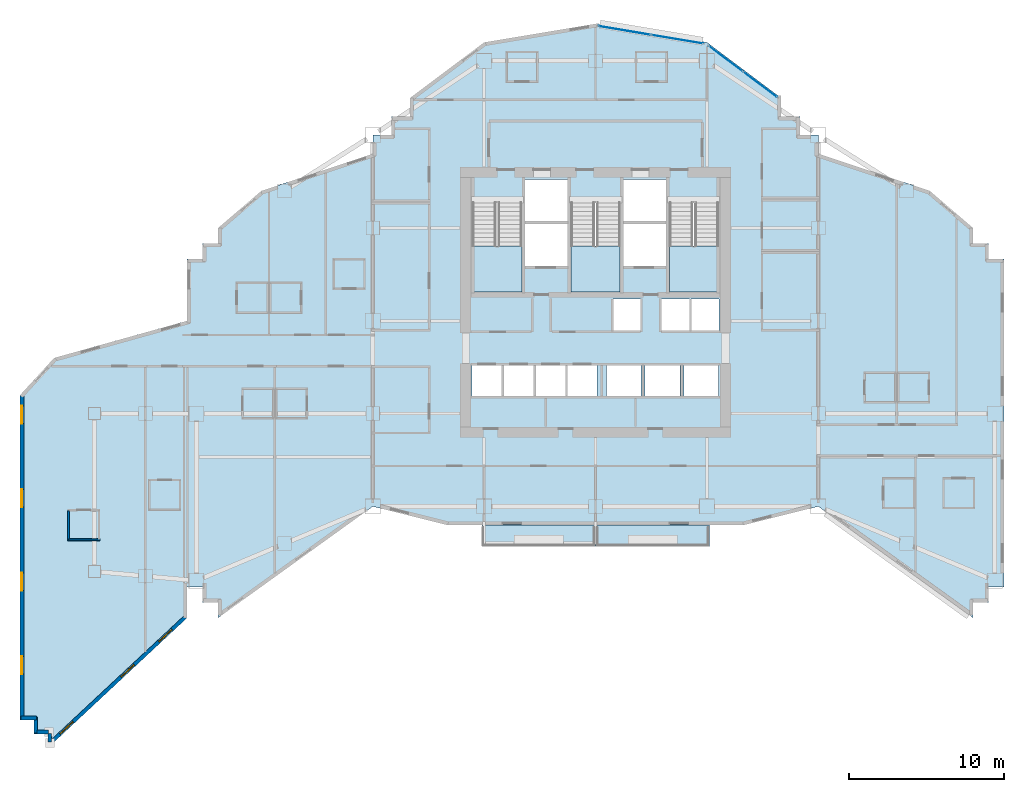
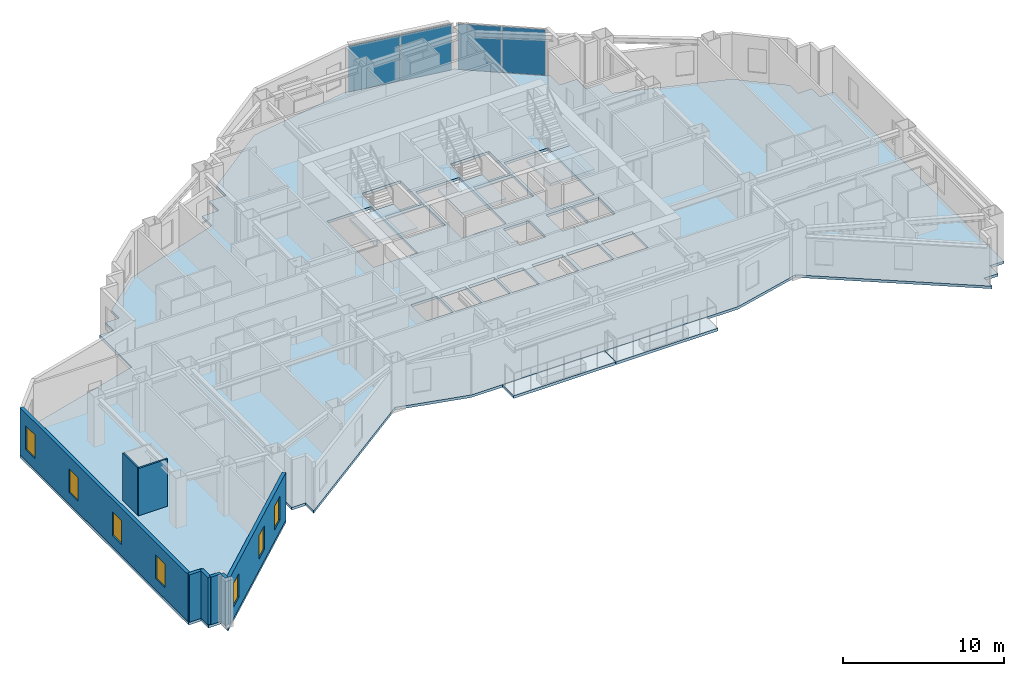
# One storey, part 6 of 14: 8 walls, 7 windows, 6 slabs, 4 plates, 7 openings, 5 elements without a shape of their own.
"""IFC4 building model written with IfcOpenShell, lengths in metres."""

import ifcopenshell
import ifcopenshell.guid

model = None  # the IFC model being written
_history = None  # IfcOwnerHistory: only IFC2X3 demands one
_inside = {}  # id of a spatial element -> (the spatial element, [elements in it])
_under = {}  # id of a project, library or spatial element -> (it, [spatial elements below it])
_declared = {}  # id of a project -> (the project, [libraries it declares])
_typed = {}  # id of a type object -> (the type object, [elements of that type])
_made_of = {}  # id of a material, layer set ... -> (it, [elements and type objects made of it])


def new_model(schema):
    """Start an empty IFC model of exactly this schema.

    Asked for "IFC4X3", IfcOpenShell would pick the latest addendum, in which some entities
    have other attributes; the version numbers below select the first issue.
    IFC2X3 requires an IfcOwnerHistory on every rooted entity: one is made here for all.
    """
    global model, _history
    if schema == "IFC4X3":
        model = ifcopenshell.file(schema_version=(4, 3, 0, 0))
    else:
        model = ifcopenshell.file(schema=schema)
    _inside.clear()
    _under.clear()
    _declared.clear()
    _typed.clear()
    _made_of.clear()
    _history = None
    if model.schema == "IFC2X3":
        org = make("IfcOrganization", Name="unknown")
        user = make(
            "IfcPersonAndOrganization",
            ThePerson=make("IfcPerson", FamilyName="unknown"),
            TheOrganization=org,
        )
        app = make(
            "IfcApplication",
            ApplicationDeveloper=org,
            Version="unknown",
            ApplicationFullName="unknown",
            ApplicationIdentifier="unknown",
        )
        _history = make(
            "IfcOwnerHistory",
            OwningUser=user,
            OwningApplication=app,
            ChangeAction="ADDED",
            CreationDate=0,
        )
    return model


def make(cls, **values):
    """One entity of the class cls with the attributes given. An attribute that is None is left unset."""
    return model.create_entity(
        cls, **{name: value for name, value in values.items() if value is not None}
    )


def rooted(cls, **values):
    """An entity with a GlobalId (a new one), such as an element, a storey or a relation."""
    return make(cls, GlobalId=ifcopenshell.guid.new(), OwnerHistory=_history, **values)


def si_unit(unit_type, name, prefix=None):
    """IfcSIUnit, for example si_unit("LENGTHUNIT", "METRE", prefix="MILLI")."""
    return make("IfcSIUnit", UnitType=unit_type, Prefix=prefix, Name=name)


def assignment(units):
    """IfcUnitAssignment: the units of a project."""
    return None if units is None else make("IfcUnitAssignment", Units=units)


def point(xyz):
    """IfcCartesianPoint."""
    return None if xyz is None else make("IfcCartesianPoint", Coordinates=xyz)


def direction(xyz):
    """IfcDirection."""
    return None if xyz is None else make("IfcDirection", DirectionRatios=xyz)


def frame(location, z_axis=None, x_axis=None):
    """IfcAxis2Placement3D, a coordinate frame: its origin and axes. An axis left out is left unset."""
    return make(
        "IfcAxis2Placement3D",
        Location=point(location),
        Axis=direction(z_axis),
        RefDirection=direction(x_axis),
    )


def frame_2d(location, x_axis=None):
    """IfcAxis2Placement2D, a coordinate frame in the plane: its origin and x axis."""
    return make(
        "IfcAxis2Placement2D", Location=point(location), RefDirection=direction(x_axis)
    )


def origin():
    """The frame at (0, 0, 0) with its axes left unset."""
    return frame((0.0, 0.0, 0.0))


def origin_2d():
    """The frame at (0, 0) in the plane with its x axis left unset."""
    return frame_2d((0.0, 0.0))


def place(relative_to, where):
    """IfcLocalPlacement: puts the frame where relative to a parent placement (None: the world)."""
    return make(
        "IfcLocalPlacement", PlacementRelTo=relative_to, RelativePlacement=where
    )


def context(
    kind, dimensions, precision=None, world=None, true_north=None, identifier=None
):
    """IfcGeometricRepresentationContext, for example the 3D "Model" context."""
    return make(
        "IfcGeometricRepresentationContext",
        ContextIdentifier=identifier,
        ContextType=kind,
        CoordinateSpaceDimension=dimensions,
        Precision=precision,
        WorldCoordinateSystem=world,
        TrueNorth=true_north,
    )


def subcontext(parent, identifier, kind, view, scale=None):
    """IfcGeometricRepresentationSubContext, for example "Body" below "Model"."""
    return make(
        "IfcGeometricRepresentationSubContext",
        ContextIdentifier=identifier,
        ContextType=kind,
        ParentContext=parent,
        TargetScale=scale,
        TargetView=view,
    )


def project(units=None, contexts=None):
    """IfcProject with its units and contexts."""
    return rooted(
        "IfcProject",
        Name="project",
        RepresentationContexts=contexts,
        UnitsInContext=assignment(units),
    )


def spatial(cls, under=None, at=None, **own):
    """A site, building, storey or space (cls), placed at a placement, below another one or the project."""
    s = rooted(cls, ObjectPlacement=at, **own)
    if under is not None:
        _under.setdefault(under.id(), (under, []))[1].append(s)
    return s


def polyline(points):
    """IfcPolyline through the points."""
    return make("IfcPolyline", Points=[point(p) for p in points])


def profile(cls, at=None, kind="AREA", **sizes):
    """A parametric profile (cls). Its sizes go by their IFC names, for example OverallWidth=200.0."""
    return make(cls, ProfileType=kind, Position=at, **sizes)


def rectangle(**sizes):
    """IfcRectangleProfileDef."""
    return profile("IfcRectangleProfileDef", **sizes)


def outline(outer, holes=None, kind="AREA"):
    """IfcArbitraryClosedProfileDef: a profile drawn as a closed curve; with holes, ...WithVoids."""
    if holes is None:
        return make("IfcArbitraryClosedProfileDef", ProfileType=kind, OuterCurve=outer)
    return make(
        "IfcArbitraryProfileDefWithVoids",
        ProfileType=kind,
        OuterCurve=outer,
        InnerCurves=holes,
    )


def extrude(swept, where, along, depth):
    """IfcExtrudedAreaSolid: the profile swept, set in the frame where, extruded along a direction by depth."""
    return make(
        "IfcExtrudedAreaSolid",
        SweptArea=swept,
        Position=where,
        ExtrudedDirection=direction(along),
        Depth=depth,
    )


def shape(context_of_items, identifier, shape_type, items):
    """IfcShapeRepresentation: the items that make up one representation, for example the "Body"."""
    return make(
        "IfcShapeRepresentation",
        ContextOfItems=context_of_items,
        RepresentationIdentifier=identifier,
        RepresentationType=shape_type,
        Items=items,
    )


def material(Name=None, Category=None):
    """IfcMaterial."""
    return make("IfcMaterial", Name=Name, Category=Category)


def layer(
    of_material, thickness, ventilated=None, Name=None, Category=None, Priority=None
):
    """IfcMaterialLayer: one layer of a wall or slab, of a material (None: an air gap)."""
    return make(
        "IfcMaterialLayer",
        Material=of_material,
        LayerThickness=thickness,
        IsVentilated=ventilated,
        Name=Name,
        Category=Category,
        Priority=Priority,
    )


def layer_set(layers, Name=None):
    """IfcMaterialLayerSet."""
    return make("IfcMaterialLayerSet", MaterialLayers=layers, LayerSetName=Name)


def made_of(thing, what):
    """Note that an element or type object is made of a material, layer set ...; save() writes the relation."""
    if what is not None:
        _made_of.setdefault(what.id(), (what, []))[1].append(thing)
    return thing


def type_object(cls, material=None, **own):
    """A type object (cls), such as IfcWallType, which elements share."""
    return made_of(rooted(cls, **own), material)


def element(
    cls,
    number,
    at=None,
    inside=None,
    cuts=None,
    type_object=None,
    material=None,
    context=None,
    identifier="Body",
    shape_type=None,
    held_by="IfcProductDefinitionShape",
    body=None,
    shapes=None,
    **own,
):
    """One element of the class cls, such as IfcWall. Its Tag is "e" and its number.

    at: its placement. inside: the storey or other place that contains it. cuts: it is an
    opening in that element (IfcRelVoidsElement). A single representation is given by context,
    identifier, shape_type and body (its items); several are given by shapes. held_by: the class
    of the entity that holds the representations. save() writes the other relations.
    """
    e = rooted(cls, Tag="e%d" % number, ObjectPlacement=at, **own)
    if body is not None:
        shapes = [shape(context, identifier, shape_type, body)]
    if shapes is not None:
        e.Representation = make(held_by, Representations=shapes)
    if inside is not None:
        _inside.setdefault(inside.id(), (inside, []))[1].append(e)
    if cuts is not None:
        rooted(
            "IfcRelVoidsElement", RelatingBuildingElement=cuts, RelatedOpeningElement=e
        )
    if type_object is not None:
        _typed.setdefault(type_object.id(), (type_object, []))[1].append(e)
    return made_of(e, material)


def fill(opening, filler):
    """IfcRelFillsElement: the door or window that sits in an opening."""
    return rooted(
        "IfcRelFillsElement",
        RelatingOpeningElement=opening,
        RelatedBuildingElement=filler,
    )


def aggregate(whole, parts):
    """IfcRelAggregates: a whole, such as a stair, and the parts it consists of."""
    return rooted("IfcRelAggregates", RelatingObject=whole, RelatedObjects=parts)


def save(model, path):
    """Write the relations noted so far, then the file.

    IfcRelAggregates (storeys below a building ...), IfcRelContainedInSpatialStructure (elements
    in a storey), IfcRelDefinesByType, IfcRelAssociatesMaterial and IfcRelDeclares: one each for
    every whole, place, type object, material and project.
    """
    for whole, parts in _under.values():
        aggregate(whole, parts)
    for where, things in _inside.values():
        rooted(
            "IfcRelContainedInSpatialStructure",
            RelatedElements=things,
            RelatingStructure=where,
        )
    for kind, things in _typed.values():
        rooted("IfcRelDefinesByType", RelatedObjects=things, RelatingType=kind)
    for what, things in _made_of.values():
        rooted("IfcRelAssociatesMaterial", RelatedObjects=things, RelatingMaterial=what)
    for by, libraries in _declared.values():
        rooted("IfcRelDeclares", RelatingContext=by, RelatedDefinitions=libraries)
    model.write(path)


model = new_model("IFC4")

# Units and contexts
model_context = context("Model", 3, precision=1e-05, world=origin(), true_north=direction((0.0, 1.0)))
body_context = subcontext(model_context, "Body", "Model", "MODEL_VIEW")
ifc_project = project(units=[si_unit("LENGTHUNIT", "METRE"), si_unit("AREAUNIT", "SQUARE_METRE"), si_unit("VOLUMEUNIT", "CUBIC_METRE"), si_unit("PLANEANGLEUNIT", "RADIAN"), si_unit("MASSUNIT", "GRAM", prefix="KILO")], contexts=[model_context])

# Site, building, storey
site_placement = place(None, origin())
site = spatial("IfcSite", under=ifc_project, at=site_placement, CompositionType="ELEMENT")
building_placement = place(site_placement, origin())
building = spatial("IfcBuilding", under=site, at=building_placement, Name="Haolan Belvedere Tower", CompositionType="ELEMENT")
storey_placement = place(building_placement, frame((0.0, 0.0, 144.800048828125)))
storey = spatial("IfcBuildingStorey", under=building, at=storey_placement, Name="L36", CompositionType="ELEMENT", Elevation=144.800048828125)

# Curtain wall, plates
ifc_material_1 = material(Name="Anodised champagne-silver aluminium 6063-T6 and Low-E glass", Category="aluminium")
ifc_layer_1 = layer(ifc_material_1, 0.155029296875, Name="Anodised champagne-silver aluminium 6063-T6 and Low-E glass")
ifc_layer_set_1 = layer_set([ifc_layer_1], Name="Anodised champagne-silver aluminium 6063-T6 and Low-E glass")
curtain_wall_type = type_object("IfcCurtainWallType", Name="CW-SYS-03", PredefinedType="NOTDEFINED", material=ifc_layer_set_1)
curtain_wall_1_placement = place(storey_placement, origin())
curtain_wall_1 = element("IfcCurtainWall", 1, at=curtain_wall_1_placement, inside=storey, type_object=curtain_wall_type, Name="L36 CW-SYS-03 ribbon curtain wall 26.1", PredefinedType="NOTDEFINED")
ifc_material_2 = material(Name="Double silver Low-E laminated insulating glass", Category="glass")
ifc_layer_2 = layer(ifc_material_2, 0.02392578125, Name="Double silver Low-E laminated insulating glass")
ifc_layer_set_2 = layer_set([ifc_layer_2], Name="Double silver Low-E laminated insulating glass")
plate_type = type_object("IfcPlateType", Name="CW-SYS-03-PNL", PredefinedType="CURTAIN_PANEL", material=ifc_layer_set_2)
plate_1_placement = place(storey_placement, frame((49.0302734375, 48.877197265625, 0.05419921875), z_axis=(0.0, 0.0, 1.0), x_axis=(-0.800004262313, 0.599994316874, 0.0)))
plate_1 = element("IfcPlate", 2, at=plate_1_placement, type_object=plate_type, Name="CW-03 panel 1.1", PredefinedType="CURTAIN_PANEL", context=body_context, shape_type="SweptSolid", body=[
    extrude(rectangle(XDim=2.728271484375, YDim=0.02392578125, at=origin_2d()), origin(), (0.0, 0.0, 1.0), 3.491943359375),
])
plate_2_placement = place(storey_placement, frame((46.80126953125, 50.549072265625, 0.05419921875), z_axis=(0.0, 0.0, 1.0), x_axis=(-0.800004262313, 0.599994316874, 0.0)))
plate_2 = element("IfcPlate", 3, at=plate_2_placement, type_object=plate_type, Name="CW-03 panel 2.1", PredefinedType="CURTAIN_PANEL", context=body_context, shape_type="SweptSolid", body=[
    extrude(rectangle(XDim=2.728271484375, YDim=0.02392578125, at=origin_2d()), origin(), (0.0, 0.0, 1.0), 3.491943359375),
])
aggregate(curtain_wall_1, [plate_1, plate_2])

curtain_wall_2_placement = place(storey_placement, origin())
curtain_wall_2 = element("IfcCurtainWall", 4, at=curtain_wall_2_placement, inside=storey, type_object=curtain_wall_type, Name="L36 CW-SYS-03 ribbon curtain wall 27.1", PredefinedType="NOTDEFINED")
plate_3_placement = place(storey_placement, frame((43.68017578125, 51.79833984375, 0.05419921875), z_axis=(0.0, 0.0, 1.0), x_axis=(-0.9863931483, 0.16440364043, 0.0)))
plate_3 = element("IfcPlate", 5, at=plate_3_placement, type_object=plate_type, Name="CW-03 panel 1.1", PredefinedType="CURTAIN_PANEL", context=body_context, shape_type="SweptSolid", body=[
    extrude(rectangle(XDim=3.39794921875, YDim=0.02392578125, at=origin_2d()), origin(), (0.0, 0.0, 1.0), 3.491943359375),
])
plate_4_placement = place(storey_placement, frame((40.271240234375, 52.366455078125, 0.05419921875), z_axis=(0.0, 0.0, 1.0), x_axis=(-0.9863931483, 0.16440364043, 0.0)))
plate_4 = element("IfcPlate", 6, at=plate_4_placement, type_object=plate_type, Name="CW-03 panel 2.1", PredefinedType="CURTAIN_PANEL", context=body_context, shape_type="SweptSolid", body=[
    extrude(rectangle(XDim=3.39794921875, YDim=0.02392578125, at=origin_2d()), origin(), (0.0, 0.0, 1.0), 3.491943359375),
])
aggregate(curtain_wall_2, [plate_3, plate_4])

# Slabs
ifc_material_3 = material(Name="Concrete C40/50", Category="concrete")
ifc_layer_3 = layer(ifc_material_3, 0.2099609375, Name="Concrete C40/50")
ifc_layer_set_3 = layer_set([ifc_layer_3], Name="Concrete C40/50")
slab_type_1 = type_object("IfcSlabType", Name="SL-BAL-210", PredefinedType="FLOOR", material=ifc_layer_set_3)
slab_1_placement = place(storey_placement, frame((0.0, 0.0, -0.22998046875)))
element("IfcSlab", 7, at=slab_1_placement, inside=storey, type_object=slab_type_1, Name="L36 structural tree-planter balcony slab BAL-L36-S1", PredefinedType="FLOOR", context=body_context, shape_type="SweptSolid", body=[
    extrude(outline(polyline([(31.050048828125, 19.02001953125), (38.3798828125, 19.02001953125), (38.3798828125, 20.39990234375), (31.050048828125, 20.39990234375), (31.050048828125, 19.02001953125)])), origin(), (0.0, 0.0, 1.0), 0.2099609375),
])
slab_2_placement = place(storey_placement, frame((0.0, 0.0, -0.22998046875)))
element("IfcSlab", 8, at=slab_2_placement, inside=storey, type_object=slab_type_1, Name="L36 structural tree-planter balcony slab BAL-L36-S2", PredefinedType="FLOOR", context=body_context, shape_type="SweptSolid", body=[
    extrude(outline(polyline([(38.419921875, 19.02001953125), (45.75, 19.02001953125), (45.75, 20.39990234375), (38.419921875, 20.39990234375), (38.419921875, 19.02001953125)])), origin(), (0.0, 0.0, 1.0), 0.2099609375),
])
ifc_layer_4 = layer(ifc_material_3, 0.199951171875, Name="Concrete C40/50")
ifc_layer_set_4 = layer_set([ifc_layer_4], Name="Concrete C40/50")
slab_type_2 = type_object("IfcSlabType", Name="SL-FLR-200", PredefinedType="FLOOR", material=ifc_layer_set_4)
slab_3_placement = place(storey_placement, frame((0.0, 0.0, -0.199951171875)))
element("IfcSlab", 9, at=slab_3_placement, inside=storey, type_object=slab_type_2, Name="L36 structural floor slab", PredefinedType="FLOOR", context=body_context, shape_type="SweptSolid", body=[
    extrude(outline(polyline([(12.0, 14.39990234375), (12.0, 16.39990234375), (13.0, 16.39990234375), (13.0, 15.39990234375), (14.0, 15.39990234375), (14.0, 14.39990234375), (24.0, 21.60009765625), (28.800048828125, 20.39990234375), (48.0, 20.39990234375), (52.800048828125, 21.60009765625), (62.800048828125, 14.39990234375), (62.800048828125, 15.39990234375), (63.800048828125, 15.39990234375), (63.800048828125, 16.39990234375), (64.800048828125, 16.39990234375), (64.800048828125, 37.60009765625), (63.800048828125, 37.60009765625), (63.800048828125, 38.60009765625), (62.800048828125, 38.60009765625), (62.800048828125, 39.60009765625), (60.0, 42.0), (52.800048828125, 44.39990234375), (52.800048828125, 45.60009765625), (51.60009765625, 45.60009765625), (51.60009765625, 46.800048828125), (50.39990234375, 46.800048828125), (50.39990234375, 48.0), (45.60009765625, 51.60009765625), (38.39990234375, 52.800048828125), (31.199951171875, 51.60009765625), (26.39990234375, 48.0), (26.39990234375, 46.800048828125), (25.199951171875, 46.800048828125), (25.199951171875, 45.60009765625), (24.0, 45.60009765625), (24.0, 44.39990234375), (16.800048828125, 42.0), (14.0, 39.60009765625), (14.0, 38.60009765625), (13.0, 38.60009765625), (13.0, 37.60009765625), (12.0, 37.60009765625), (12.0, 33.60009765625), (3.39990234375, 31.199951171875), (1.199951171875, 28.800048828125), (1.199951171875, 8.39990234375), (1.199951171875, 7.800048828125), (2.10009765625, 7.800048828125), (2.10009765625, 6.89990234375), (3.0, 6.89990234375), (3.0, 6.0), (12.0, 14.39990234375)]), holes=[polyline([(30.449951171875, 41.22998046875), (30.449951171875, 35.449951171875), (33.6298828125, 35.449951171875), (33.6298828125, 41.22998046875), (30.449951171875, 41.22998046875)]), polyline([(36.81005859375, 41.22998046875), (36.81005859375, 35.449951171875), (39.989990234375, 35.449951171875), (39.989990234375, 41.22998046875), (36.81005859375, 41.22998046875)]), polyline([(43.169921875, 41.22998046875), (43.169921875, 35.449951171875), (46.35009765625, 35.449951171875), (46.35009765625, 41.22998046875), (43.169921875, 41.22998046875)]), polyline([(33.830078125, 40.050048828125), (36.610107421875, 40.050048828125), (36.610107421875, 42.75), (33.830078125, 42.75), (33.830078125, 40.050048828125)]), polyline([(33.830078125, 37.14990234375), (36.610107421875, 37.14990234375), (36.610107421875, 39.85009765625), (33.830078125, 39.85009765625), (33.830078125, 37.14990234375)]), polyline([(40.18994140625, 40.050048828125), (42.969970703125, 40.050048828125), (42.969970703125, 42.75), (40.18994140625, 42.75), (40.18994140625, 40.050048828125)]), polyline([(40.18994140625, 37.14990234375), (42.969970703125, 37.14990234375), (42.969970703125, 39.85009765625), (40.18994140625, 39.85009765625), (40.18994140625, 37.14990234375)]), polyline([(39.5400390625, 32.949951171875), (41.389892578125, 32.949951171875), (41.389892578125, 35.0), (39.5400390625, 35.0), (39.5400390625, 32.949951171875)]), polyline([(42.6201171875, 32.949951171875), (44.469970703125, 32.949951171875), (44.469970703125, 35.0), (42.6201171875, 35.0), (42.6201171875, 32.949951171875)]), polyline([(44.580078125, 32.949951171875), (46.3798828125, 32.949951171875), (46.3798828125, 35.0), (44.580078125, 35.0), (44.580078125, 32.949951171875)]), polyline([(30.419921875, 28.75), (32.320068359375, 28.75), (32.320068359375, 30.75), (30.419921875, 30.75), (30.419921875, 28.75)]), polyline([(32.47998046875, 28.75), (34.3798828125, 28.75), (34.3798828125, 30.75), (32.47998046875, 30.75), (32.47998046875, 28.75)]), polyline([(34.5400390625, 28.75), (36.43994140625, 28.75), (36.43994140625, 30.75), (34.5400390625, 30.75), (34.5400390625, 28.75)]), polyline([(36.60009765625, 28.75), (38.5, 28.75), (38.5, 30.75), (36.60009765625, 30.75), (36.60009765625, 28.75)]), polyline([(39.10009765625, 28.75), (41.340087890625, 28.75), (41.340087890625, 30.75), (39.10009765625, 30.75), (39.10009765625, 28.75)]), polyline([(41.610107421875, 28.75), (43.85009765625, 28.75), (43.85009765625, 30.75), (41.610107421875, 30.75), (41.610107421875, 28.75)]), polyline([(44.1201171875, 28.75), (46.360107421875, 28.75), (46.360107421875, 30.75), (44.1201171875, 30.75), (44.1201171875, 28.75)])]), origin(), (0.0, 0.0, 1.0), 0.199951171875),
])

# Stair, slab
stair_type = type_object("IfcStairType", Name="STR-DL-22R-173", PredefinedType="HALF_TURN_STAIR", material=ifc_material_3)
stair_1_placement = place(storey_placement, origin())
stair_1 = element("IfcStair", 10, at=stair_1_placement, inside=storey, type_object=stair_type, Name="L36 Smokeproof Core Exit Stair ST1", PredefinedType="HALF_TURN_STAIR")
ifc_layer_5 = layer(ifc_material_3, 0.199951171875, Name="Concrete C40/50")
ifc_layer_set_5 = layer_set([ifc_layer_5], Name="Concrete C40/50")
slab_type_3 = type_object("IfcSlabType", Name="SL-LAND-200", PredefinedType="LANDING", material=ifc_layer_set_5)
slab_4_placement = place(storey_placement, frame((0.0, 0.0, 1.699951171875)))
slab_4 = element("IfcSlab", 11, at=slab_4_placement, type_object=slab_type_3, Name="ST1 landing 1", PredefinedType="LANDING", context=body_context, shape_type="SweptSolid", body=[
    extrude(outline(polyline([(30.449951171875, 38.429931640625), (30.449951171875, 35.449951171875), (33.6298828125, 35.449951171875), (33.6298828125, 38.429931640625), (30.449951171875, 38.429931640625)])), origin(), (0.0, 0.0, 1.0), 0.199951171875),
])
aggregate(stair_1, [slab_4])

stair_2_placement = place(storey_placement, origin())
stair_2 = element("IfcStair", 12, at=stair_2_placement, inside=storey, type_object=stair_type, Name="L36 Smokeproof Core Exit Stair ST3", PredefinedType="HALF_TURN_STAIR")
slab_5_placement = place(storey_placement, frame((0.0, 0.0, 1.699951171875)))
slab_5 = element("IfcSlab", 13, at=slab_5_placement, type_object=slab_type_3, Name="ST3 landing 1", PredefinedType="LANDING", context=body_context, shape_type="SweptSolid", body=[
    extrude(outline(polyline([(36.81005859375, 38.429931640625), (36.81005859375, 35.449951171875), (39.989990234375, 35.449951171875), (39.989990234375, 38.429931640625), (36.81005859375, 38.429931640625)])), origin(), (0.0, 0.0, 1.0), 0.199951171875),
])
aggregate(stair_2, [slab_5])

stair_3_placement = place(storey_placement, origin())
stair_3 = element("IfcStair", 14, at=stair_3_placement, inside=storey, type_object=stair_type, Name="L36 Smokeproof Core Exit Stair ST2", PredefinedType="HALF_TURN_STAIR")
slab_6_placement = place(storey_placement, frame((0.0, 0.0, 1.699951171875)))
slab_6 = element("IfcSlab", 15, at=slab_6_placement, type_object=slab_type_3, Name="ST2 landing 1", PredefinedType="LANDING", context=body_context, shape_type="SweptSolid", body=[
    extrude(outline(polyline([(43.169921875, 38.429931640625), (43.169921875, 35.449951171875), (46.35009765625, 35.449951171875), (46.35009765625, 38.429931640625), (43.169921875, 38.429931640625)])), origin(), (0.0, 0.0, 1.0), 0.199951171875),
])
aggregate(stair_3, [slab_6])

# Wall, openings, windows
ifc_material_4 = material(Name="Precast concrete C40/50", Category="concrete")
ifc_layer_6 = layer(ifc_material_4, 0.239990234375, Name="Precast concrete C40/50")
ifc_layer_set_6 = layer_set([ifc_layer_6], Name="Precast concrete C40/50")
wall_type_1 = type_object("IfcWallType", Name="WL-EXT-240", PredefinedType="SOLIDWALL", material=ifc_layer_set_6)
wall_1_placement = place(storey_placement, frame((1.320068359375, 28.808349609375, 0.0), z_axis=(0.0, 0.0, 1.0), x_axis=(0.0, -1.0, 0.0)))
wall_1 = element("IfcWall", 16, at=wall_1_placement, inside=storey, type_object=wall_type_1, Name="L36 pale-metal exterior spandrel wall 44.1", PredefinedType="SOLIDWALL", context=body_context, shape_type="SweptSolid", body=[
    extrude(rectangle(XDim=20.943359375, YDim=0.239990234375, at=frame_2d((10.4716796875, 0.0))), origin(), (0.0, 0.0, 1.0), 3.599853515625),
])
opening_1_placement = place(wall_1_placement, frame((0.699951171875, 0.0, 0.85009765625)))
opening_1 = element("IfcOpeningElement", 17, at=opening_1_placement, cuts=wall_1, Name="Opening W-02", PredefinedType="OPENING", context=body_context, shape_type="SweptSolid", body=[
    extrude(rectangle(XDim=1.14990234375, YDim=1.800048828125, at=frame_2d((0.574951171875, 0.89990234375))), frame((0.0, 0.1298828125, 0.0), z_axis=(0.0, -1.0, 0.0), x_axis=(1.0, 0.0, 0.0)), (0.0, 0.0, 1.0), 0.260009765625),
])
opening_2_placement = place(wall_1_placement, frame((6.10009765625, 0.0, 0.85009765625)))
opening_2 = element("IfcOpeningElement", 18, at=opening_2_placement, cuts=wall_1, Name="Opening W-02", PredefinedType="OPENING", context=body_context, shape_type="SweptSolid", body=[
    extrude(rectangle(XDim=1.14990234375, YDim=1.800048828125, at=frame_2d((0.574951171875, 0.89990234375))), frame((0.0, 0.1298828125, 0.0), z_axis=(0.0, -1.0, 0.0), x_axis=(1.0, 0.0, 0.0)), (0.0, 0.0, 1.0), 0.260009765625),
])
opening_3_placement = place(wall_1_placement, frame((11.5, 0.0, 0.85009765625)))
opening_3 = element("IfcOpeningElement", 19, at=opening_3_placement, cuts=wall_1, Name="Opening W-02", PredefinedType="OPENING", context=body_context, shape_type="SweptSolid", body=[
    extrude(rectangle(XDim=1.14990234375, YDim=1.800048828125, at=frame_2d((0.574951171875, 0.89990234375))), frame((0.0, 0.1298828125, 0.0), z_axis=(0.0, -1.0, 0.0), x_axis=(1.0, 0.0, 0.0)), (0.0, 0.0, 1.0), 0.260009765625),
])
opening_4_placement = place(wall_1_placement, frame((16.89990234375, 0.0, 0.85009765625)))
opening_4 = element("IfcOpeningElement", 20, at=opening_4_placement, cuts=wall_1, Name="Opening W-02", PredefinedType="OPENING", context=body_context, shape_type="SweptSolid", body=[
    extrude(rectangle(XDim=1.14990234375, YDim=1.800048828125, at=frame_2d((0.574951171875, 0.89990234375))), frame((0.0, 0.1298828125, 0.0), z_axis=(0.0, -1.0, 0.0), x_axis=(1.0, 0.0, 0.0)), (0.0, 0.0, 1.0), 0.260009765625),
])
ifc_material_5 = material(Name="Anodised aluminium 6063-T6 and Low-E glass", Category="aluminium")
window_type = type_object("IfcWindowType", Name="WN-DECO-Z2", PartitioningType="SINGLE_PANEL", PredefinedType="WINDOW", material=ifc_material_5)
window_1_placement = place(opening_1_placement, origin())
window_1 = element("IfcWindow", 21, at=window_1_placement, inside=storey, type_object=window_type, Name="L36 Art Deco chevron window 1", OverallHeight=1.800048828125, OverallWidth=1.14990234375, PartitioningType="SINGLE_PANEL", PredefinedType="WINDOW", context=body_context, shape_type="SweptSolid", body=[
    extrude(rectangle(XDim=1.14990234375, YDim=1.800048828125, at=frame_2d((0.574951171875, 0.89990234375))), frame((0.0, 0.030029296875, 0.0), z_axis=(0.0, -1.0, 0.0), x_axis=(1.0, 0.0, 0.0)), (0.0, 0.0, 1.0), 0.06005859375),
])
fill(opening_1, window_1)
window_2_placement = place(opening_2_placement, origin())
window_2 = element("IfcWindow", 22, at=window_2_placement, inside=storey, type_object=window_type, Name="L36 Art Deco chevron window 2", OverallHeight=1.800048828125, OverallWidth=1.14990234375, PartitioningType="SINGLE_PANEL", PredefinedType="WINDOW", context=body_context, shape_type="SweptSolid", body=[
    extrude(rectangle(XDim=1.14990234375, YDim=1.800048828125, at=frame_2d((0.574951171875, 0.89990234375))), frame((0.0, 0.030029296875, 0.0), z_axis=(0.0, -1.0, 0.0), x_axis=(1.0, 0.0, 0.0)), (0.0, 0.0, 1.0), 0.06005859375),
])
fill(opening_2, window_2)
window_3_placement = place(opening_3_placement, origin())
window_3 = element("IfcWindow", 23, at=window_3_placement, inside=storey, type_object=window_type, Name="L36 Art Deco chevron window 3", OverallHeight=1.800048828125, OverallWidth=1.14990234375, PartitioningType="SINGLE_PANEL", PredefinedType="WINDOW", context=body_context, shape_type="SweptSolid", body=[
    extrude(rectangle(XDim=1.14990234375, YDim=1.800048828125, at=frame_2d((0.574951171875, 0.89990234375))), frame((0.0, 0.030029296875, 0.0), z_axis=(0.0, -1.0, 0.0), x_axis=(1.0, 0.0, 0.0)), (0.0, 0.0, 1.0), 0.06005859375),
])
fill(opening_3, window_3)
window_4_placement = place(opening_4_placement, origin())
window_4 = element("IfcWindow", 24, at=window_4_placement, inside=storey, type_object=window_type, Name="L36 Art Deco chevron window 4", OverallHeight=1.800048828125, OverallWidth=1.14990234375, PartitioningType="SINGLE_PANEL", PredefinedType="WINDOW", context=body_context, shape_type="SweptSolid", body=[
    extrude(rectangle(XDim=1.14990234375, YDim=1.800048828125, at=frame_2d((0.574951171875, 0.89990234375))), frame((0.0, 0.030029296875, 0.0), z_axis=(0.0, -1.0, 0.0), x_axis=(1.0, 0.0, 0.0)), (0.0, 0.0, 1.0), 0.06005859375),
])
fill(opening_4, window_4)

# Walls
for number, where, z_axis, x_axis, name in (
    (25, (1.264892578125, 7.919921875, 0.0), (0.0, 0.0, 1.0), (1.0, 0.0, 0.0), "L36 pale-metal exterior spandrel wall 45.1"),
    (26, (2.219970703125, 7.97509765625, 0.0), (0.0, 0.0, 1.0), (0.0, -1.0, 0.0), "L36 pale-metal exterior spandrel wall 46.1"),
):
    element("IfcWall", number, at=place(storey_placement, frame(where, z_axis=z_axis, x_axis=x_axis)), inside=storey, type_object=wall_type_1, Name=name, PredefinedType="SOLIDWALL", context=body_context, shape_type="SweptSolid", body=[
        extrude(rectangle(XDim=1.010009765625, YDim=0.239990234375, at=frame_2d((0.5048828125, 0.0))), origin(), (0.0, 0.0, 1.0), 3.599853515625),
    ])
wall_2_placement = place(storey_placement, frame((2.300048828125, 7.02001953125, 0.0), z_axis=(0.0, 0.0, 1.0), x_axis=(1.0, 0.0, 0.0)))
element("IfcWall", 27, at=wall_2_placement, inside=storey, type_object=wall_type_1, Name="L36 pale-metal exterior spandrel wall 47.1", PredefinedType="SOLIDWALL", context=body_context, shape_type="SweptSolid", body=[
    extrude(rectangle(XDim=0.73486328125, YDim=0.239990234375, at=frame_2d((0.367431640625, 0.0))), origin(), (0.0, 0.0, 1.0), 3.599853515625),
])
wall_3_placement = place(storey_placement, frame((3.1201171875, 6.93505859375, 0.0), z_axis=(0.0, 0.0, 1.0), x_axis=(0.0, -1.0, 0.0)))
element("IfcWall", 28, at=wall_3_placement, inside=storey, type_object=wall_type_1, Name="L36 pale-metal exterior spandrel wall 48.1", PredefinedType="SOLIDWALL", context=body_context, shape_type="SweptSolid", body=[
    extrude(rectangle(XDim=0.573974609375, YDim=0.239990234375, at=frame_2d((0.287109375, 0.0))), origin(), (0.0, 0.0, 1.0), 3.599853515625),
])

# Wall, openings, windows
wall_4_placement = place(storey_placement, frame((3.269775390625, 6.416015625, 0.0), z_axis=(0.0, 0.0, 1.0), x_axis=(0.731064187858, 0.682308693505, 0.0)))
wall_4 = element("IfcWall", 29, at=wall_4_placement, inside=storey, type_object=wall_type_1, Name="L36 pale-metal exterior spandrel wall 49.1", PredefinedType="SOLIDWALL", context=body_context, shape_type="SweptSolid", body=[
    extrude(rectangle(XDim=11.83251953125, YDim=0.239990234375, at=frame_2d((5.916259765625, 0.0))), origin(), (0.0, 0.0, 1.0), 3.599853515625),
])
opening_5_placement = place(wall_4_placement, frame((0.699951171875, 0.0, 0.85009765625)))
opening_5 = element("IfcOpeningElement", 30, at=opening_5_placement, cuts=wall_4, Name="Opening W-02", PredefinedType="OPENING", context=body_context, shape_type="SweptSolid", body=[
    extrude(rectangle(XDim=1.14990234375, YDim=1.800048828125, at=frame_2d((0.574951171875, 0.89990234375))), frame((0.0, 0.1298828125, 0.0), z_axis=(0.0, -1.0, 0.0), x_axis=(1.0, 0.0, 0.0)), (0.0, 0.0, 1.0), 0.260009765625),
])
opening_6_placement = place(wall_4_placement, frame((6.10009765625, 0.0, 0.85009765625)))
opening_6 = element("IfcOpeningElement", 31, at=opening_6_placement, cuts=wall_4, Name="Opening W-02", PredefinedType="OPENING", context=body_context, shape_type="SweptSolid", body=[
    extrude(rectangle(XDim=1.14990234375, YDim=1.800048828125, at=frame_2d((0.574951171875, 0.89990234375))), frame((0.0, 0.1298828125, 0.0), z_axis=(0.0, -1.0, 0.0), x_axis=(1.0, 0.0, 0.0)), (0.0, 0.0, 1.0), 0.260009765625),
])
opening_7_placement = place(wall_4_placement, frame((9.44580078125, 0.0, 0.85009765625)))
opening_7 = element("IfcOpeningElement", 32, at=opening_7_placement, cuts=wall_4, Name="Opening W-02", PredefinedType="OPENING", context=body_context, shape_type="SweptSolid", body=[
    extrude(rectangle(XDim=1.14990234375, YDim=1.800048828125, at=frame_2d((0.574951171875, 0.89990234375))), frame((0.0, 0.1298828125, 0.0), z_axis=(0.0, -1.0, 0.0), x_axis=(1.0, 0.0, 0.0)), (0.0, 0.0, 1.0), 0.260009765625),
])
window_5_placement = place(opening_5_placement, origin())
window_5 = element("IfcWindow", 33, at=window_5_placement, inside=storey, type_object=window_type, Name="L36 Art Deco chevron window 1", OverallHeight=1.800048828125, OverallWidth=1.14990234375, PartitioningType="SINGLE_PANEL", PredefinedType="WINDOW", context=body_context, shape_type="SweptSolid", body=[
    extrude(rectangle(XDim=1.14990234375, YDim=1.800048828125, at=frame_2d((0.574951171875, 0.89990234375))), frame((0.0, 0.030029296875, 0.0), z_axis=(0.0, -1.0, 0.0), x_axis=(1.0, 0.0, 0.0)), (0.0, 0.0, 1.0), 0.06005859375),
])
fill(opening_5, window_5)
window_6_placement = place(opening_6_placement, origin())
window_6 = element("IfcWindow", 34, at=window_6_placement, inside=storey, type_object=window_type, Name="L36 Art Deco chevron window 2", OverallHeight=1.800048828125, OverallWidth=1.14990234375, PartitioningType="SINGLE_PANEL", PredefinedType="WINDOW", context=body_context, shape_type="SweptSolid", body=[
    extrude(rectangle(XDim=1.14990234375, YDim=1.800048828125, at=frame_2d((0.574951171875, 0.89990234375))), frame((0.0, 0.030029296875, 0.0), z_axis=(0.0, -1.0, 0.0), x_axis=(1.0, 0.0, 0.0)), (0.0, 0.0, 1.0), 0.06005859375),
])
fill(opening_6, window_6)
window_7_placement = place(opening_7_placement, origin())
window_7 = element("IfcWindow", 35, at=window_7_placement, inside=storey, type_object=window_type, Name="L36 Art Deco guestroom window 2", OverallHeight=1.800048828125, OverallWidth=1.14990234375, PartitioningType="SINGLE_PANEL", PredefinedType="WINDOW", context=body_context, shape_type="SweptSolid", body=[
    extrude(rectangle(XDim=1.14990234375, YDim=1.800048828125, at=frame_2d((0.574951171875, 0.89990234375))), frame((0.0, 0.030029296875, 0.0), z_axis=(0.0, -1.0, 0.0), x_axis=(1.0, 0.0, 0.0)), (0.0, 0.0, 1.0), 0.06005859375),
])
fill(opening_7, window_7)

# Walls
ifc_material_6 = material(Name="Moisture-resistant gypsum tile partition", Category="masonry")
ifc_layer_7 = layer(ifc_material_6, 0.1201171875, Name="Moisture-resistant gypsum tile partition")
ifc_layer_set_7 = layer_set([ifc_layer_7], Name="Moisture-resistant gypsum tile partition")
wall_type_2 = type_object("IfcWallType", Name="WL-WET-120", PredefinedType="PARTITIONING", material=ifc_layer_set_7)
wall_5_placement = place(storey_placement, frame((4.264892578125, 19.444091796875, 0.0), z_axis=(0.0, 0.0, 1.0), x_axis=(1.0, 0.0, 0.0)))
element("IfcWall", 36, at=wall_5_placement, inside=storey, type_object=wall_type_2, Name="L36 interior partition IW-L36-T1S1-BS", PredefinedType="PARTITIONING", context=body_context, shape_type="SweptSolid", body=[
    extrude(rectangle(XDim=2.10009765625, YDim=0.1201171875, at=frame_2d((1.050048828125, 0.0))), origin(), (0.0, 0.0, 1.0), 3.599853515625),
])
wall_6_placement = place(storey_placement, frame((4.324951171875, 19.489013671875, 0.0), z_axis=(0.0, 0.0, 1.0), x_axis=(0.0, 1.0, 0.0)))
element("IfcWall", 37, at=wall_6_placement, inside=storey, type_object=wall_type_2, Name="L36 interior partition IW-L36-T1S1-BW", PredefinedType="PARTITIONING", context=body_context, shape_type="SweptSolid", body=[
    extrude(rectangle(XDim=1.830078125, YDim=0.1201171875, at=frame_2d((0.9150390625, 0.0))), origin(), (0.0, 0.0, 1.0), 3.599853515625),
])

save(model, "model.ifc")
